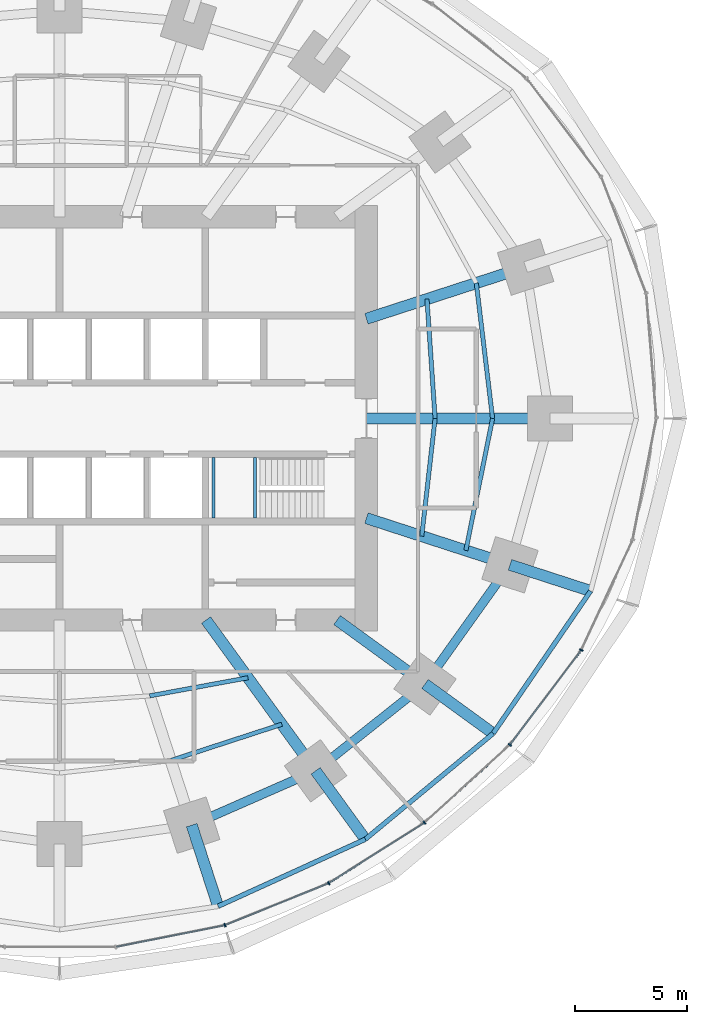
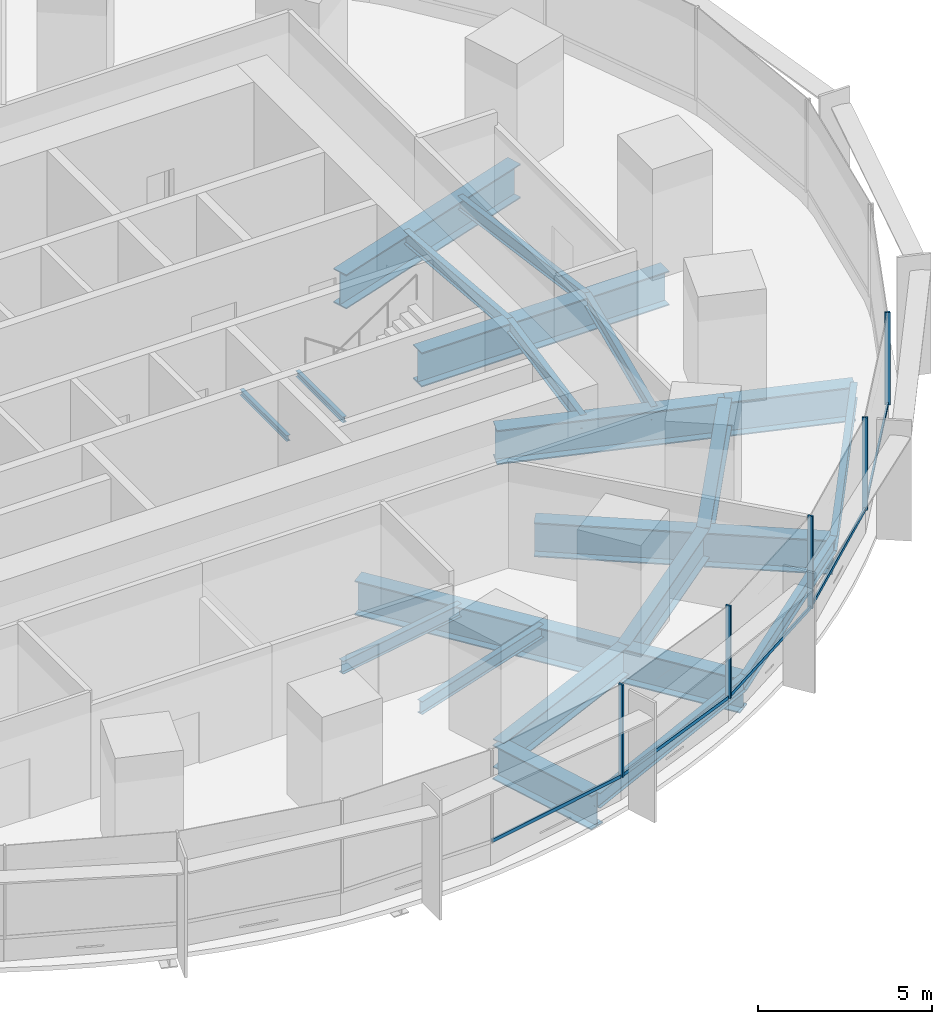
# One storey, part 5 of 15: 23 beams, 10 members, 2 elements without a shape of their own.
"""IFC4 building model written with IfcOpenShell, lengths in metres."""

from ifc_helpers import new_model, si_unit, direction, frame, origin, origin_2d, place, context, subcontext, project, spatial, rectangle, i_section, extrude, material, material_profile, profile_set, type_object, element, aggregate, save


model = new_model("IFC4")

# Units and contexts
model_context = context("Model", 3, precision=1e-05, world=origin(), true_north=direction((0.0, 1.0)))
body_context = subcontext(model_context, "Body", "Model", "MODEL_VIEW")
ifc_project = project(units=[si_unit("LENGTHUNIT", "METRE"), si_unit("AREAUNIT", "SQUARE_METRE"), si_unit("VOLUMEUNIT", "CUBIC_METRE"), si_unit("PLANEANGLEUNIT", "RADIAN"), si_unit("MASSUNIT", "GRAM", prefix="KILO")], contexts=[model_context])

# Site, building, storey
site_placement = place(None, origin())
site = spatial("IfcSite", under=ifc_project, at=site_placement, CompositionType="ELEMENT")
building_placement = place(site_placement, origin())
building = spatial("IfcBuilding", under=site, at=building_placement, Name="Marramba Exchange Tower", CompositionType="ELEMENT")
storey_placement = place(building_placement, frame((0.0, 0.0, 49.0)))
storey = spatial("IfcBuildingStorey", under=building, at=storey_placement, Name="L11", CompositionType="ELEMENT", Elevation=49.0)

# Beams
ifc_material_1 = material(Name="Steel AS/NZS 3679.2 grade 300", Category="steel")
ifc_material_profile_1 = material_profile(ifc_material_1, i_section(OverallWidth=0.5, OverallDepth=1.199951171875, WebThickness=0.01611328125, FlangeThickness=0.0400390625, at=origin_2d()), Name="1200WB455")
ifc_profile_set_1 = profile_set([ifc_material_profile_1], Name="Steel AS/NZS 3679.2 grade 300")
beam_type_1 = type_object("IfcBeamType", Name="Cantilever girder 1200WB455", PredefinedType="BEAM", material=ifc_profile_set_1)
beam_1_placement = place(storey_placement, frame((5.899658203125, -18.156982421875, -0.760009765625), z_axis=(0.309009272901, -0.951059025119, 0.0), x_axis=(0.951059025119, 0.309009272901, 0.0)))
element("IfcBeam", 1, at=beam_1_placement, inside=storey, type_object=beam_type_1, Name="Cantilever girder L11 TC17", PredefinedType="BEAM", context=body_context, shape_type="SweptSolid", body=[
    extrude(i_section(OverallWidth=0.5, OverallDepth=1.199951171875, WebThickness=0.01611328125, FlangeThickness=0.0400390625, at=origin_2d()), origin(), (0.0, 0.0, 1.0), 3.809814453125),
])
beam_2_placement = place(storey_placement, frame((11.430419921875, -15.732666015625, -0.760009765625), z_axis=(0.587787232741, -0.809015555491, 0.0), x_axis=(0.809015555491, 0.587787232741, 0.0)))
element("IfcBeam", 2, at=beam_2_placement, inside=storey, type_object=beam_type_1, Name="Cantilever girder L11 TC18", PredefinedType="BEAM", context=body_context, shape_type="SweptSolid", body=[
    extrude(i_section(OverallWidth=0.5, OverallDepth=1.199951171875, WebThickness=0.01611328125, FlangeThickness=0.0400390625, at=origin_2d()), origin(), (0.0, 0.0, 1.0), 3.7763671875),
])
beam_3_placement = place(storey_placement, frame((16.3154296875, -11.853759765625, -0.760009765625), z_axis=(0.809008346081, -0.587797155463, 0.0), x_axis=(0.587797155463, 0.809008346081, 0.0)))
element("IfcBeam", 3, at=beam_3_placement, inside=storey, type_object=beam_type_1, Name="Cantilever girder L11 TC19", PredefinedType="BEAM", context=body_context, shape_type="SweptSolid", body=[
    extrude(i_section(OverallWidth=0.5, OverallDepth=1.199951171875, WebThickness=0.01611328125, FlangeThickness=0.0400390625, at=origin_2d()), origin(), (0.0, 0.0, 1.0), 3.76025390625),
])
beam_4_placement = place(storey_placement, frame((20.109375, -6.533935546875, -0.760009765625), z_axis=(0.951048759501, -0.309040866314, 0.0), x_axis=(0.309040866314, 0.951048759501, 0.0)))
element("IfcBeam", 4, at=beam_4_placement, inside=storey, type_object=beam_type_1, Name="Cantilever girder L11 TC20", PredefinedType="BEAM", context=body_context, shape_type="SweptSolid", body=[
    extrude(i_section(OverallWidth=0.5, OverallDepth=1.199951171875, WebThickness=0.01611328125, FlangeThickness=0.0400390625, at=origin_2d()), origin(), (0.0, 0.0, 1.0), 3.78564453125),
])
ifc_material_2 = material(Name="Steel AS/NZS 3679.1 grade 300", Category="steel")
ifc_material_profile_2 = material_profile(ifc_material_2, i_section(OverallWidth=0.18994140625, OverallDepth=0.4541015625, WebThickness=0.008544921875, FlangeThickness=0.0126953125, FilletRadius=0.011474609375, at=origin_2d()), Name="460UB67.1")
ifc_profile_set_2 = profile_set([ifc_material_profile_2], Name="Steel AS/NZS 3679.1 grade 300")
beam_type_2 = type_object("IfcBeamType", Name="Floor joist 460UB67.1", PredefinedType="JOIST", material=ifc_profile_set_2)
beam_5_placement = place(storey_placement, frame((16.7666015625, 0.0, -0.386962890625), z_axis=(-0.068096259546, 0.99767875563, 0.0), x_axis=(-0.99767875563, -0.068096259546, 0.0)))
element("IfcBeam", 5, at=beam_5_placement, inside=storey, type_object=beam_type_2, Name="Joist L11 bay 01 row 1", PredefinedType="JOIST", context=body_context, shape_type="SweptSolid", body=[
    extrude(i_section(OverallWidth=0.18994140625, OverallDepth=0.4541015625, WebThickness=0.008544921875, FlangeThickness=0.0126953125, FilletRadius=0.011474609375, at=origin_2d()), origin(), (0.0, 0.0, 1.0), 5.342041015625),
])
beam_6_placement = place(storey_placement, frame((19.333251953125, 0.0, -0.386962890625), z_axis=(-0.119523078538, 0.992831422597, 0.0), x_axis=(-0.992831422597, -0.119523078538, 0.0)))
element("IfcBeam", 6, at=beam_6_placement, inside=storey, type_object=beam_type_2, Name="Joist L11 bay 01 row 2", PredefinedType="JOIST", context=body_context, shape_type="SweptSolid", body=[
    extrude(i_section(OverallWidth=0.18994140625, OverallDepth=0.4541015625, WebThickness=0.008544921875, FlangeThickness=0.0126953125, FilletRadius=0.011474609375, at=origin_2d()), origin(), (0.0, 0.0, 1.0), 6.089111328125),
])
beam_7_placement = place(storey_placement, frame((4.0244140625, -12.3857421875, -0.386962890625), z_axis=(0.983455754421, 0.181148500119, 0.0), x_axis=(-0.181148500119, 0.983455754421, 0.0)))
element("IfcBeam", 7, at=beam_7_placement, inside=storey, type_object=beam_type_2, Name="Joist L11 bay 17 row 1", PredefinedType="JOIST", context=body_context, shape_type="SweptSolid", body=[
    extrude(i_section(OverallWidth=0.18994140625, OverallDepth=0.4541015625, WebThickness=0.008544921875, FlangeThickness=0.0126953125, FilletRadius=0.011474609375, at=origin_2d()), origin(), (0.0, 0.0, 1.0), 4.4609375),
])
beam_8_placement = place(storey_placement, frame((4.9619140625, -15.271484375, -0.386962890625), z_axis=(0.950764024931, 0.309915744834, 0.0), x_axis=(-0.309915744834, 0.950764024931, 0.0)))
element("IfcBeam", 8, at=beam_8_placement, inside=storey, type_object=beam_type_2, Name="Joist L11 bay 17 row 2", PredefinedType="JOIST", context=body_context, shape_type="SweptSolid", body=[
    extrude(i_section(OverallWidth=0.18994140625, OverallDepth=0.4541015625, WebThickness=0.008544921875, FlangeThickness=0.0126953125, FilletRadius=0.011474609375, at=origin_2d()), origin(), (0.0, 0.0, 1.0), 5.2158203125),
])
beam_9_placement = place(storey_placement, frame((16.169677734375, -5.25390625, -0.386962890625), z_axis=(0.112888968594, 0.993607609054, 0.0), x_axis=(-0.993607609054, 0.112888968594, 0.0)))
element("IfcBeam", 9, at=beam_9_placement, inside=storey, type_object=beam_type_2, Name="Joist L11 bay 20 row 1", PredefinedType="JOIST", context=body_context, shape_type="SweptSolid", body=[
    extrude(i_section(OverallWidth=0.18994140625, OverallDepth=0.4541015625, WebThickness=0.008544921875, FlangeThickness=0.0126953125, FilletRadius=0.011474609375, at=origin_2d()), origin(), (0.0, 0.0, 1.0), 5.28759765625),
])
beam_10_placement = place(storey_placement, frame((18.1396484375, -5.893798828125, -0.386962890625), z_axis=(0.198489047047, 0.980103105904, 0.0), x_axis=(-0.980103105904, 0.198489047047, 0.0)))
element("IfcBeam", 10, at=beam_10_placement, inside=storey, type_object=beam_type_2, Name="Joist L11 bay 20 row 2", PredefinedType="JOIST", context=body_context, shape_type="SweptSolid", body=[
    extrude(i_section(OverallWidth=0.18994140625, OverallDepth=0.4541015625, WebThickness=0.008544921875, FlangeThickness=0.0126953125, FilletRadius=0.011474609375, at=origin_2d()), origin(), (0.0, 0.0, 1.0), 6.013427734375),
])
ifc_material_profile_3 = material_profile(ifc_material_1, i_section(OverallWidth=0.5, OverallDepth=1.199951171875, WebThickness=0.01611328125, FlangeThickness=0.0400390625, at=origin_2d()), Name="1200WB455")
ifc_profile_set_3 = profile_set([ifc_material_profile_3], Name="Steel AS/NZS 3679.2 grade 300")
beam_type_3 = type_object("IfcBeamType", Name="Radial girder 1200WB455", PredefinedType="BEAM", material=ifc_profile_set_3)
beam_11_placement = place(storey_placement, frame((13.699951171875, 0.0, -0.760009765625), z_axis=(1.0, 0.0, 0.0), x_axis=(0.0, 1.0, 0.0)))
element("IfcBeam", 11, at=beam_11_placement, inside=storey, type_object=beam_type_3, Name="Radial girder L11 TC01", PredefinedType="BEAM", context=body_context, shape_type="SweptSolid", body=[
    extrude(i_section(OverallWidth=0.5, OverallDepth=1.199951171875, WebThickness=0.01611328125, FlangeThickness=0.0400390625, at=origin_2d()), origin(), (0.0, 0.0, 1.0), 8.199951171875),
])
beam_12_placement = place(storey_placement, frame((13.699951171875, 4.451416015625, -0.760009765625), z_axis=(0.951059990189, 0.309006302624, 0.0), x_axis=(-0.309006302624, 0.951059990189, 0.0)))
element("IfcBeam", 12, at=beam_12_placement, inside=storey, type_object=beam_type_3, Name="Radial girder L11 TC02", PredefinedType="BEAM", context=body_context, shape_type="SweptSolid", body=[
    extrude(i_section(OverallWidth=0.5, OverallDepth=1.199951171875, WebThickness=0.01611328125, FlangeThickness=0.0400390625, at=origin_2d()), origin(), (0.0, 0.0, 1.0), 7.47412109375),
])
beam_13_placement = place(storey_placement, frame((6.538818359375, -9.0, -0.760009765625), z_axis=(0.587787877172, -0.809015087282, 0.0), x_axis=(0.809015087282, 0.587787877172, 0.0)))
element("IfcBeam", 13, at=beam_13_placement, inside=storey, type_object=beam_type_3, Name="Radial girder L11 TC18", PredefinedType="BEAM", context=body_context, shape_type="SweptSolid", body=[
    extrude(i_section(OverallWidth=0.5, OverallDepth=1.199951171875, WebThickness=0.01611328125, FlangeThickness=0.0400390625, at=origin_2d()), origin(), (0.0, 0.0, 1.0), 8.322021484375),
])
beam_14_placement = place(storey_placement, frame((12.387451171875, -9.0, -0.760009765625), z_axis=(0.809025189606, -0.58777397236, 0.0), x_axis=(0.58777397236, 0.809025189606, 0.0)))
element("IfcBeam", 14, at=beam_14_placement, inside=storey, type_object=beam_type_3, Name="Radial girder L11 TC19", PredefinedType="BEAM", context=body_context, shape_type="SweptSolid", body=[
    extrude(i_section(OverallWidth=0.5, OverallDepth=1.199951171875, WebThickness=0.01611328125, FlangeThickness=0.0400390625, at=origin_2d()), origin(), (0.0, 0.0, 1.0), 4.855224609375),
])
beam_15_placement = place(storey_placement, frame((13.699951171875, -4.451416015625, -0.760009765625), z_axis=(0.951057759669, -0.309013167637, 0.0), x_axis=(0.309013167637, 0.951057759669, 0.0)))
element("IfcBeam", 15, at=beam_15_placement, inside=storey, type_object=beam_type_3, Name="Radial girder L11 TC20", PredefinedType="BEAM", context=body_context, shape_type="SweptSolid", body=[
    extrude(i_section(OverallWidth=0.5, OverallDepth=1.199951171875, WebThickness=0.01611328125, FlangeThickness=0.0400390625, at=origin_2d()), origin(), (0.0, 0.0, 1.0), 6.7392578125),
])
ifc_material_profile_4 = material_profile(ifc_material_1, i_section(OverallWidth=0.39990234375, OverallDepth=1.0, WebThickness=0.01611328125, FlangeThickness=0.031982421875, at=origin_2d()), Name="1000WB322")
ifc_profile_set_4 = profile_set([ifc_material_profile_4], Name="Steel AS/NZS 3679.2 grade 300")
beam_type_4 = type_object("IfcBeamType", Name="Ring beam 1000WB322", PredefinedType="SPANDREL", material=ifc_profile_set_4)
beam_16_placement = place(storey_placement, frame((5.899658203125, -18.156982421875, -0.659912109375), z_axis=(0.915876892158, 0.4014592363, 0.0), x_axis=(-0.4014592363, 0.915876892158, 0.0)))
element("IfcBeam", 16, at=beam_16_placement, inside=storey, type_object=beam_type_4, Name="Ring beam L11 TC17-TC18", PredefinedType="SPANDREL", context=body_context, shape_type="SweptSolid", body=[
    extrude(i_section(OverallWidth=0.39990234375, OverallDepth=1.0, WebThickness=0.01611328125, FlangeThickness=0.031982421875, at=origin_2d()), origin(), (0.0, 0.0, 1.0), 6.038818359375),
])
beam_17_placement = place(storey_placement, frame((11.430419921875, -15.732666015625, -0.659912109375), z_axis=(0.783139438128, 0.621846138887, 0.0), x_axis=(-0.621846138887, 0.783139438128, 0.0)))
element("IfcBeam", 17, at=beam_17_placement, inside=storey, type_object=beam_type_4, Name="Ring beam L11 TC18-TC19", PredefinedType="SPANDREL", context=body_context, shape_type="SweptSolid", body=[
    extrude(i_section(OverallWidth=0.39990234375, OverallDepth=1.0, WebThickness=0.01611328125, FlangeThickness=0.031982421875, at=origin_2d()), origin(), (0.0, 0.0, 1.0), 6.23779296875),
])
beam_18_placement = place(storey_placement, frame((16.3154296875, -11.853759765625, -0.659912109375), z_axis=(0.580637181111, 0.814162430914, 0.0), x_axis=(-0.814162430914, 0.580637181111, 0.0)))
element("IfcBeam", 18, at=beam_18_placement, inside=storey, type_object=beam_type_4, Name="Ring beam L11 TC19-TC20", PredefinedType="SPANDREL", context=body_context, shape_type="SweptSolid", body=[
    extrude(i_section(OverallWidth=0.39990234375, OverallDepth=1.0, WebThickness=0.01611328125, FlangeThickness=0.031982421875, at=origin_2d()), origin(), (0.0, 0.0, 1.0), 6.5341796875),
])
ifc_material_profile_5 = material_profile(ifc_material_2, i_section(OverallWidth=0.208984375, OverallDepth=0.528076171875, WebThickness=0.009521484375, FlangeThickness=0.01318359375, FilletRadius=0.013916015625, at=origin_2d()), Name="530UB82.0")
ifc_profile_set_5 = profile_set([ifc_material_profile_5], Name="Steel AS/NZS 3679.1 grade 300")
beam_type_5 = type_object("IfcBeamType", Name="Slab edge beam 530UB82.0", PredefinedType="SPANDREL", material=ifc_profile_set_5)
beam_19_placement = place(storey_placement, frame((7.076904296875, -21.7802734375, -0.424072265625), z_axis=(0.910126690081, 0.414330071324, 0.0), x_axis=(-0.414330071324, 0.910126690081, 0.0)))
element("IfcBeam", 19, at=beam_19_placement, inside=storey, type_object=beam_type_5, Name="Slab edge beam L11 TC17-TC18", PredefinedType="SPANDREL", context=body_context, shape_type="SweptSolid", body=[
    extrude(i_section(OverallWidth=0.208984375, OverallDepth=0.528076171875, WebThickness=0.009521484375, FlangeThickness=0.01318359375, FilletRadius=0.013916015625, at=origin_2d()), origin(), (0.0, 0.0, 1.0), 7.222412109375),
])
beam_20_placement = place(storey_placement, frame((13.650146484375, -18.787841796875, -0.424072265625), z_axis=(0.770353575372, 0.637616945283, 0.0), x_axis=(-0.637616945283, 0.770353575372, 0.0)))
element("IfcBeam", 20, at=beam_20_placement, inside=storey, type_object=beam_type_5, Name="Slab edge beam L11 TC18-TC19", PredefinedType="SPANDREL", context=body_context, shape_type="SweptSolid", body=[
    extrude(i_section(OverallWidth=0.208984375, OverallDepth=0.528076171875, WebThickness=0.009521484375, FlangeThickness=0.01318359375, FilletRadius=0.013916015625, at=origin_2d()), origin(), (0.0, 0.0, 1.0), 7.40869140625),
])
beam_21_placement = place(storey_placement, frame((19.357421875, -14.06396484375, -0.424072265625), z_axis=(0.564740697285, 0.82526840775, 0.0), x_axis=(-0.82526840775, 0.564740697285, 0.0)))
element("IfcBeam", 21, at=beam_21_placement, inside=storey, type_object=beam_type_5, Name="Slab edge beam L11 TC19-TC20", PredefinedType="SPANDREL", context=body_context, shape_type="SweptSolid", body=[
    extrude(i_section(OverallWidth=0.208984375, OverallDepth=0.528076171875, WebThickness=0.009521484375, FlangeThickness=0.01318359375, FilletRadius=0.013916015625, at=origin_2d()), origin(), (0.0, 0.0, 1.0), 7.706787109375),
])
ifc_material_profile_6 = material_profile(ifc_material_2, i_section(OverallWidth=0.133056640625, OverallDepth=0.202880859375, WebThickness=0.005859375, FlangeThickness=0.0078125, FilletRadius=0.0087890625, at=origin_2d()), Name="200UB25.4")
ifc_profile_set_6 = profile_set([ifc_material_profile_6], Name="Steel AS/NZS 3679.1 grade 300")
beam_type_6 = type_object("IfcBeamType", Name="Stair landing beam 200UB25.4", PredefinedType="BEAM", material=ifc_profile_set_6)
for number, where, z_axis, x_axis, name in (
    (22, (6.866455078125, -4.449951171875, 1.798583984375), (0.0, 1.0, 0.0), (-1.0, 0.0, 0.0), "Stair landing beam SLB1 ST2 L11 1"),
    (23, (8.723388671875, -4.449951171875, 1.798583984375), (0.0, 1.0, 0.0), (-1.0, 0.0, 0.0), "Stair landing beam SLB1 ST2 L11 2"),
):
    element("IfcBeam", number, at=place(storey_placement, frame(where, z_axis=z_axis, x_axis=x_axis)), inside=storey, type_object=beam_type_6, Name=name, PredefinedType="BEAM", context=body_context, shape_type="SweptSolid", body=[
        extrude(i_section(OverallWidth=0.133056640625, OverallDepth=0.202880859375, WebThickness=0.005859375, FlangeThickness=0.0078125, FilletRadius=0.0087890625, at=origin_2d()), origin(), (0.0, 0.0, 1.0), 2.699951171875),
    ])

# Curtain wall, member
ifc_material_3 = material(Name="Aluminium framing, bronze anodised", Category="aluminium")
curtain_wall_type = type_object("IfcCurtainWallType", Name="Trading floor ribbon curtain wall", PredefinedType="USERDEFINED", material=ifc_material_3)
curtain_wall_1_placement = place(storey_placement, origin())
curtain_wall_1 = element("IfcCurtainWall", 24, at=curtain_wall_1_placement, inside=storey, type_object=curtain_wall_type, Name="Curtain wall CW3 L11 F21-F25", ObjectType="RIBBON CURTAIN WALL", PredefinedType="USERDEFINED")
ifc_material_4 = material(Name="Aluminium mullion, bronze anodised", Category="aluminium")
ifc_material_profile_7 = material_profile(ifc_material_4, rectangle(XDim=0.159912109375, YDim=0.06005859375, at=origin_2d()), Name="CW3 mullion 60x160")
ifc_profile_set_7 = profile_set([ifc_material_profile_7], Name="Aluminium mullion, bronze anodised")
member_type_1 = type_object("IfcMemberType", Name="Trading floor ribbon curtain wall mullion", PredefinedType="MULLION", material=ifc_profile_set_7)
member_1_placement = place(storey_placement, frame((7.3828125, -22.625, 0.800048828125), z_axis=(0.0, 0.0, 1.0), x_axis=(-0.374218219325, 0.927340673283, 0.0)))
member_1 = element("IfcMember", 25, at=member_1_placement, type_object=member_type_1, Name="CW3 mullion 1", PredefinedType="MULLION", context=body_context, shape_type="SweptSolid", body=[
    extrude(rectangle(XDim=0.159912109375, YDim=0.06005859375, at=origin_2d()), origin(), (0.0, 0.0, 1.0), 3.239990234375),
])

# Curtain wall, members
curtain_wall_2_placement = place(storey_placement, origin())
curtain_wall_2 = element("IfcCurtainWall", 26, at=curtain_wall_2_placement, inside=storey, type_object=curtain_wall_type, Name="Curtain wall CW3 L11 F26-F30", ObjectType="RIBBON CURTAIN WALL", PredefinedType="USERDEFINED")
member_2_placement = place(storey_placement, frame((12.0146484375, -20.75, 0.800048828125), z_axis=(0.0, 0.0, 1.0), x_axis=(-0.533514646612, 0.845790826298, 0.0)))
member_2 = element("IfcMember", 27, at=member_2_placement, type_object=member_type_1, Name="CW3 mullion 1", PredefinedType="MULLION", context=body_context, shape_type="SweptSolid", body=[
    extrude(rectangle(XDim=0.159912109375, YDim=0.06005859375, at=origin_2d()), origin(), (0.0, 0.0, 1.0), 3.239990234375),
])
member_3_placement = place(storey_placement, frame((16.2900390625, -18.047119140625, 0.800048828125), z_axis=(0.0, 0.0, 1.0), x_axis=(-0.673058133441, 0.739589581463, 0.0)))
member_3 = element("IfcMember", 28, at=member_3_placement, type_object=member_type_1, Name="CW3 mullion 1", PredefinedType="MULLION", context=body_context, shape_type="SweptSolid", body=[
    extrude(rectangle(XDim=0.159912109375, YDim=0.06005859375, at=origin_2d()), origin(), (0.0, 0.0, 1.0), 3.239990234375),
])
member_4_placement = place(storey_placement, frame((20.103515625, -14.569091796875, 0.800048828125), z_axis=(0.0, 0.0, 1.0), x_axis=(-0.797710591138, 0.603040473588, 0.0)))
member_4 = element("IfcMember", 29, at=member_4_placement, type_object=member_type_1, Name="CW3 mullion 1", PredefinedType="MULLION", context=body_context, shape_type="SweptSolid", body=[
    extrude(rectangle(XDim=0.159912109375, YDim=0.06005859375, at=origin_2d()), origin(), (0.0, 0.0, 1.0), 3.239990234375),
])
member_5_placement = place(storey_placement, frame((23.2939453125, -10.33837890625, 0.800048828125), z_axis=(0.0, 0.0, 1.0), x_axis=(-0.905906758768, 0.423477206492, 0.0)))
member_5 = element("IfcMember", 30, at=member_5_placement, type_object=member_type_1, Name="CW3 mullion 1", PredefinedType="MULLION", context=body_context, shape_type="SweptSolid", body=[
    extrude(rectangle(XDim=0.159912109375, YDim=0.06005859375, at=origin_2d()), origin(), (0.0, 0.0, 1.0), 3.239990234375),
])

# Member
ifc_material_5 = material(Name="Aluminium transom, bronze anodised", Category="aluminium")
ifc_material_profile_8 = material_profile(ifc_material_5, rectangle(XDim=0.06005859375, YDim=0.1201171875, at=origin_2d()), Name="CW3 transom 60x120")
ifc_profile_set_8 = profile_set([ifc_material_profile_8], Name="Aluminium transom, bronze anodised")
member_type_2 = type_object("IfcMemberType", Name="Trading floor ribbon curtain wall transom", PredefinedType="USERDEFINED", material=ifc_profile_set_8)
member_6_placement = place(storey_placement, frame((2.539306640625, -23.58837890625, 0.830078125), z_axis=(0.981008707181, 0.193963698758, 0.0), x_axis=(-0.193963698758, 0.981008707181, 0.0)))
member_6 = element("IfcMember", 31, at=member_6_placement, type_object=member_type_2, Name="CW3 sill transom", ObjectType="TRANSOM", PredefinedType="USERDEFINED", context=body_context, shape_type="SweptSolid", body=[
    extrude(rectangle(XDim=0.06005859375, YDim=0.1201171875, at=origin_2d()), origin(), (0.0, 0.0, 1.0), 4.908935546875),
])

member_7_placement = place(storey_placement, frame((7.41064453125, -22.61376953125, 0.830078125), z_axis=(0.927340197166, 0.374219399176, 0.0), x_axis=(-0.374219399176, 0.927340197166, 0.0)))
member_7 = element("IfcMember", 32, at=member_7_placement, type_object=member_type_2, Name="CW3 sill transom", ObjectType="TRANSOM", PredefinedType="USERDEFINED", context=body_context, shape_type="SweptSolid", body=[
    extrude(rectangle(XDim=0.06005859375, YDim=0.1201171875, at=origin_2d()), origin(), (0.0, 0.0, 1.0), 4.937255859375),
])

aggregate(curtain_wall_1, [member_6, member_1, member_7])

member_8_placement = place(storey_placement, frame((12.0400390625, -20.734130859375, 0.830078125), z_axis=(0.845776602594, 0.533537195053, 0.0), x_axis=(-0.533537195053, 0.845776602594, 0.0)))
member_8 = element("IfcMember", 33, at=member_8_placement, type_object=member_type_2, Name="CW3 sill transom", ObjectType="TRANSOM", PredefinedType="USERDEFINED", context=body_context, shape_type="SweptSolid", body=[
    extrude(rectangle(XDim=0.06005859375, YDim=0.1201171875, at=origin_2d()), origin(), (0.0, 0.0, 1.0), 4.998779296875),
])

member_9_placement = place(storey_placement, frame((16.312255859375, -18.02685546875, 0.830078125), z_axis=(0.739582688456, 0.673065707741, 0.0), x_axis=(-0.673065707741, 0.739582688456, 0.0)))
member_9 = element("IfcMember", 34, at=member_9_placement, type_object=member_type_2, Name="CW3 sill transom", ObjectType="TRANSOM", PredefinedType="USERDEFINED", context=body_context, shape_type="SweptSolid", body=[
    extrude(rectangle(XDim=0.06005859375, YDim=0.1201171875, at=origin_2d()), origin(), (0.0, 0.0, 1.0), 5.101806640625),
])

member_10_placement = place(storey_placement, frame((20.12158203125, -14.545166015625, 0.830078125), z_axis=(0.603037409419, 0.797712907531, 0.0), x_axis=(-0.797712907531, 0.603037409419, 0.0)))
member_10 = element("IfcMember", 35, at=member_10_placement, type_object=member_type_2, Name="CW3 sill transom", ObjectType="TRANSOM", PredefinedType="USERDEFINED", context=body_context, shape_type="SweptSolid", body=[
    extrude(rectangle(XDim=0.06005859375, YDim=0.1201171875, at=origin_2d()), origin(), (0.0, 0.0, 1.0), 5.239501953125),
])

aggregate(curtain_wall_2, [member_2, member_8, member_3, member_9, member_4, member_10, member_5])

save(model, "model.ifc")
